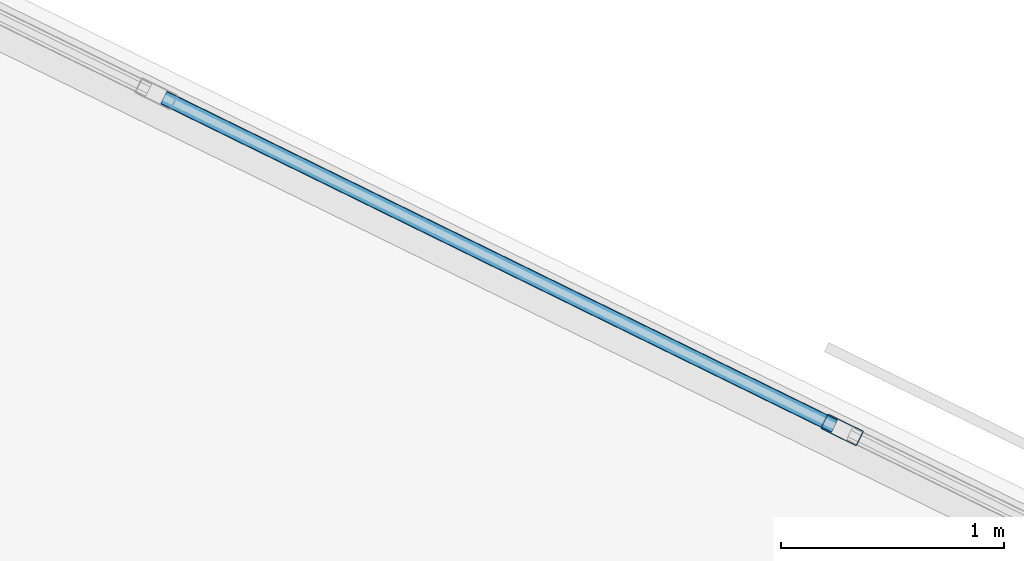
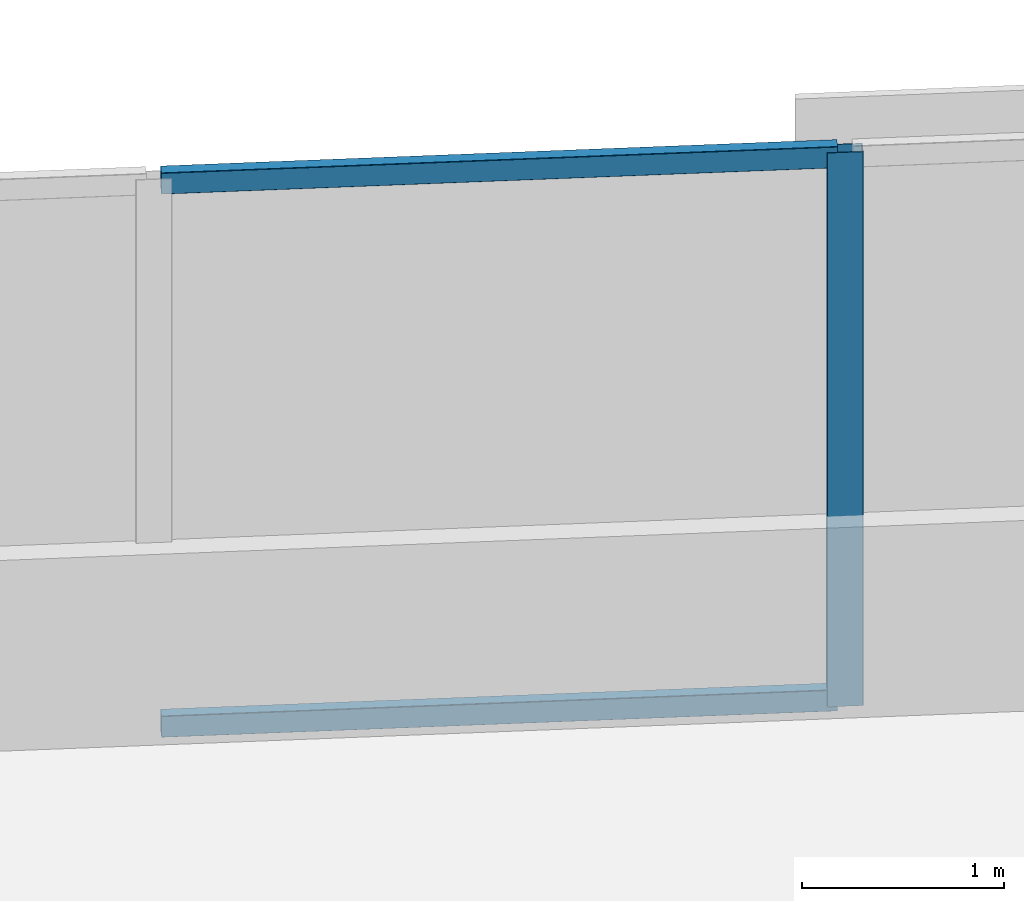
# One storey, part 11 of 18: 3 members, 1 element without a shape of its own.
"""IFC4 building model written with IfcOpenShell, lengths in metres."""

from ifc_helpers import new_model, si_unit, direction, frame, origin, origin_2d, place, context, subcontext, project, spatial, hollow_rectangle, extrude, material, material_profile, profile_set, type_object, element, aggregate, save


model = new_model("IFC4")

# Units and contexts
model_context = context("Model", 3, precision=1e-05, world=origin(), true_north=direction((0.0, 1.0)))
body_context = subcontext(model_context, "Body", "Model", "MODEL_VIEW")
ifc_project = project(units=[si_unit("LENGTHUNIT", "METRE"), si_unit("AREAUNIT", "SQUARE_METRE"), si_unit("VOLUMEUNIT", "CUBIC_METRE"), si_unit("PLANEANGLEUNIT", "RADIAN"), si_unit("MASSUNIT", "GRAM", prefix="KILO")], contexts=[model_context])

# Site, building, storey
site_placement = place(None, origin())
site = spatial("IfcSite", under=ifc_project, at=site_placement, CompositionType="ELEMENT")
building_placement = place(site_placement, origin())
building = spatial("IfcBuilding", under=site, at=building_placement, Name="Narakoshi Arena Tower", CompositionType="ELEMENT")
storey_placement = place(building_placement, frame((0.0, 0.0, 110.10009765625)))
storey = spatial("IfcBuildingStorey", under=building, at=storey_placement, Name="L29", CompositionType="ELEMENT", Elevation=110.10009765625)

# Curtain wall, members
ifc_material = material(Name="Anodised bronze aluminium 6063-T6", Category="aluminium")
curtain_wall_type = type_object("IfcCurtainWallType", Name="CW-HYP-LOW", PredefinedType="NOTDEFINED", material=ifc_material)
curtain_wall_placement = place(storey_placement, origin())
curtain_wall = element("IfcCurtainWall", 1, at=curtain_wall_placement, inside=storey, type_object=curtain_wall_type, Name="L29 Folded Hypotenuse Curtain Wall 2-1", PredefinedType="NOTDEFINED")
ifc_material_profile_1 = material_profile(ifc_material, hollow_rectangle(XDim=0.074951171875, YDim=0.179931640625, WallThickness=0.00390625, OuterFilletRadius=0.0048828125, at=origin_2d()), Name="MUL180x75x4")
ifc_profile_set_1 = profile_set([ifc_material_profile_1], Name="Anodised bronze aluminium 6063-T6")
member_type_1 = type_object("IfcMemberType", Name="MEM-MUL-180", PredefinedType="MULLION", material=ifc_profile_set_1)
member_1_placement = place(storey_placement, frame((81.486083984375, 65.51025390625, 0.0), z_axis=(0.0, 0.0, 1.0), x_axis=(-0.440004510198, -0.89799556291, 0.0)))
member_1 = element("IfcMember", 2, at=member_1_placement, type_object=member_type_1, Name="CW-01 mullion 3", PredefinedType="MULLION", context=body_context, shape_type="SweptSolid", body=[
    extrude(hollow_rectangle(XDim=0.074951171875, YDim=0.179931640625, WallThickness=0.00390625, OuterFilletRadius=0.0048828125, at=origin_2d()), origin(), (0.0, 0.0, 1.0), 3.33984375),
])
ifc_material_profile_2 = material_profile(ifc_material, hollow_rectangle(XDim=0.06494140625, YDim=0.1298828125, WallThickness=0.00390625, OuterFilletRadius=0.0048828125, at=origin_2d()), Name="TRN130x65x4")
ifc_profile_set_2 = profile_set([ifc_material_profile_2], Name="Anodised bronze aluminium 6063-T6")
member_type_2 = type_object("IfcMemberType", Name="MEM-TRN-130", PredefinedType="USERDEFINED", material=ifc_profile_set_2)
member_2_placement = place(storey_placement, frame((81.452392578125, 65.52685546875, 0.032470703125), z_axis=(-0.898000963691, 0.439993487691, 0.0), x_axis=(-0.439993487691, -0.898000963691, 0.0)))
member_2 = element("IfcMember", 3, at=member_2_placement, type_object=member_type_2, Name="CW-01 transom 3.1", ObjectType="TRANSOM", PredefinedType="USERDEFINED", context=body_context, shape_type="SweptSolid", body=[
    extrude(hollow_rectangle(XDim=0.06494140625, YDim=0.1298828125, WallThickness=0.00390625, OuterFilletRadius=0.0048828125, at=origin_2d()), origin(), (0.0, 0.0, 1.0), 3.34765625),
])
member_3_placement = place(storey_placement, frame((81.452392578125, 65.52685546875, 3.307373046875), z_axis=(-0.898000963691, 0.439993487691, 0.0), x_axis=(-0.439993487691, -0.898000963691, 0.0)))
member_3 = element("IfcMember", 4, at=member_3_placement, type_object=member_type_2, Name="CW-01 transom 3.2", ObjectType="TRANSOM", PredefinedType="USERDEFINED", context=body_context, shape_type="SweptSolid", body=[
    extrude(hollow_rectangle(XDim=0.06494140625, YDim=0.1298828125, WallThickness=0.00390625, OuterFilletRadius=0.0048828125, at=origin_2d()), origin(), (0.0, 0.0, 1.0), 3.34765625),
])
aggregate(curtain_wall, [member_1, member_2, member_3])

save(model, "model.ifc")
